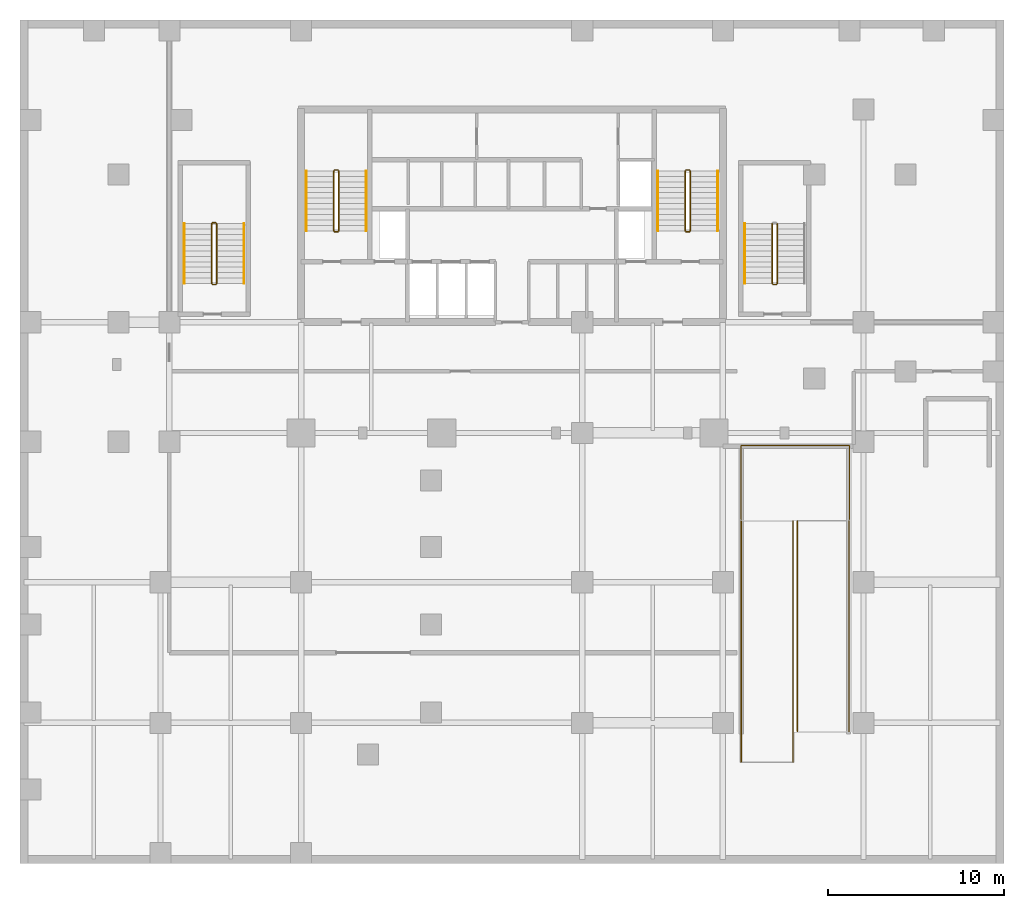
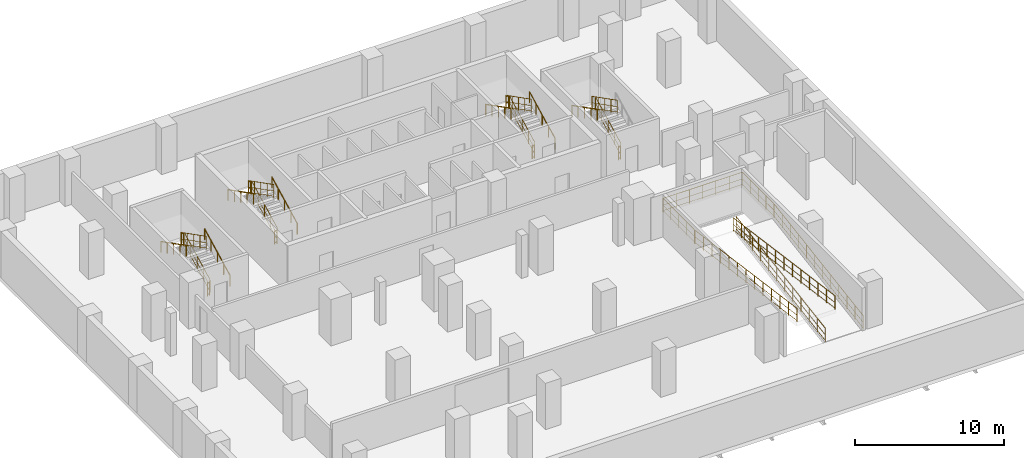
# One storey, part 4 of 5: 27 railings.
"""IFC4 building model written with IfcOpenShell, lengths in metres."""

import ifcopenshell
import ifcopenshell.guid

model = None  # the IFC model being written
_history = None  # IfcOwnerHistory: only IFC2X3 demands one
_inside = {}  # id of a spatial element -> (the spatial element, [elements in it])
_under = {}  # id of a project, library or spatial element -> (it, [spatial elements below it])
_declared = {}  # id of a project -> (the project, [libraries it declares])
_typed = {}  # id of a type object -> (the type object, [elements of that type])
_made_of = {}  # id of a material, layer set ... -> (it, [elements and type objects made of it])


def new_model(schema):
    """Start an empty IFC model of exactly this schema.

    Asked for "IFC4X3", IfcOpenShell would pick the latest addendum, in which some entities
    have other attributes; the version numbers below select the first issue.
    IFC2X3 requires an IfcOwnerHistory on every rooted entity: one is made here for all.
    """
    global model, _history
    if schema == "IFC4X3":
        model = ifcopenshell.file(schema_version=(4, 3, 0, 0))
    else:
        model = ifcopenshell.file(schema=schema)
    _inside.clear()
    _under.clear()
    _declared.clear()
    _typed.clear()
    _made_of.clear()
    _history = None
    if model.schema == "IFC2X3":
        org = make("IfcOrganization", Name="unknown")
        user = make(
            "IfcPersonAndOrganization",
            ThePerson=make("IfcPerson", FamilyName="unknown"),
            TheOrganization=org,
        )
        app = make(
            "IfcApplication",
            ApplicationDeveloper=org,
            Version="unknown",
            ApplicationFullName="unknown",
            ApplicationIdentifier="unknown",
        )
        _history = make(
            "IfcOwnerHistory",
            OwningUser=user,
            OwningApplication=app,
            ChangeAction="ADDED",
            CreationDate=0,
        )
    return model


def make(cls, **values):
    """One entity of the class cls with the attributes given. An attribute that is None is left unset."""
    return model.create_entity(
        cls, **{name: value for name, value in values.items() if value is not None}
    )


def rooted(cls, **values):
    """An entity with a GlobalId (a new one), such as an element, a storey or a relation."""
    return make(cls, GlobalId=ifcopenshell.guid.new(), OwnerHistory=_history, **values)


def si_unit(unit_type, name, prefix=None):
    """IfcSIUnit, for example si_unit("LENGTHUNIT", "METRE", prefix="MILLI")."""
    return make("IfcSIUnit", UnitType=unit_type, Prefix=prefix, Name=name)


def assignment(units):
    """IfcUnitAssignment: the units of a project."""
    return None if units is None else make("IfcUnitAssignment", Units=units)


def point(xyz):
    """IfcCartesianPoint."""
    return None if xyz is None else make("IfcCartesianPoint", Coordinates=xyz)


def direction(xyz):
    """IfcDirection."""
    return None if xyz is None else make("IfcDirection", DirectionRatios=xyz)


def frame(location, z_axis=None, x_axis=None):
    """IfcAxis2Placement3D, a coordinate frame: its origin and axes. An axis left out is left unset."""
    return make(
        "IfcAxis2Placement3D",
        Location=point(location),
        Axis=direction(z_axis),
        RefDirection=direction(x_axis),
    )


def frame_2d(location, x_axis=None):
    """IfcAxis2Placement2D, a coordinate frame in the plane: its origin and x axis."""
    return make(
        "IfcAxis2Placement2D", Location=point(location), RefDirection=direction(x_axis)
    )


def origin():
    """The frame at (0, 0, 0) with its axes left unset."""
    return frame((0.0, 0.0, 0.0))


def origin_2d():
    """The frame at (0, 0) in the plane with its x axis left unset."""
    return frame_2d((0.0, 0.0))


def place(relative_to, where):
    """IfcLocalPlacement: puts the frame where relative to a parent placement (None: the world)."""
    return make(
        "IfcLocalPlacement", PlacementRelTo=relative_to, RelativePlacement=where
    )


def context(
    kind, dimensions, precision=None, world=None, true_north=None, identifier=None
):
    """IfcGeometricRepresentationContext, for example the 3D "Model" context."""
    return make(
        "IfcGeometricRepresentationContext",
        ContextIdentifier=identifier,
        ContextType=kind,
        CoordinateSpaceDimension=dimensions,
        Precision=precision,
        WorldCoordinateSystem=world,
        TrueNorth=true_north,
    )


def subcontext(parent, identifier, kind, view, scale=None):
    """IfcGeometricRepresentationSubContext, for example "Body" below "Model"."""
    return make(
        "IfcGeometricRepresentationSubContext",
        ContextIdentifier=identifier,
        ContextType=kind,
        ParentContext=parent,
        TargetScale=scale,
        TargetView=view,
    )


def project(units=None, contexts=None):
    """IfcProject with its units and contexts."""
    return rooted(
        "IfcProject",
        Name="project",
        RepresentationContexts=contexts,
        UnitsInContext=assignment(units),
    )


def spatial(cls, under=None, at=None, **own):
    """A site, building, storey or space (cls), placed at a placement, below another one or the project."""
    s = rooted(cls, ObjectPlacement=at, **own)
    if under is not None:
        _under.setdefault(under.id(), (under, []))[1].append(s)
    return s


def profile(cls, at=None, kind="AREA", **sizes):
    """A parametric profile (cls). Its sizes go by their IFC names, for example OverallWidth=200.0."""
    return make(cls, ProfileType=kind, Position=at, **sizes)


def circle(**sizes):
    """IfcCircleProfileDef."""
    return profile("IfcCircleProfileDef", **sizes)


def extrude(swept, where, along, depth):
    """IfcExtrudedAreaSolid: the profile swept, set in the frame where, extruded along a direction by depth."""
    return make(
        "IfcExtrudedAreaSolid",
        SweptArea=swept,
        Position=where,
        ExtrudedDirection=direction(along),
        Depth=depth,
    )


def shape(context_of_items, identifier, shape_type, items):
    """IfcShapeRepresentation: the items that make up one representation, for example the "Body"."""
    return make(
        "IfcShapeRepresentation",
        ContextOfItems=context_of_items,
        RepresentationIdentifier=identifier,
        RepresentationType=shape_type,
        Items=items,
    )


def material(Name=None, Category=None):
    """IfcMaterial."""
    return make("IfcMaterial", Name=Name, Category=Category)


def made_of(thing, what):
    """Note that an element or type object is made of a material, layer set ...; save() writes the relation."""
    if what is not None:
        _made_of.setdefault(what.id(), (what, []))[1].append(thing)
    return thing


def type_object(cls, material=None, **own):
    """A type object (cls), such as IfcWallType, which elements share."""
    return made_of(rooted(cls, **own), material)


def element(
    cls,
    number,
    at=None,
    inside=None,
    cuts=None,
    type_object=None,
    material=None,
    context=None,
    identifier="Body",
    shape_type=None,
    held_by="IfcProductDefinitionShape",
    body=None,
    shapes=None,
    **own,
):
    """One element of the class cls, such as IfcWall. Its Tag is "e" and its number.

    at: its placement. inside: the storey or other place that contains it. cuts: it is an
    opening in that element (IfcRelVoidsElement). A single representation is given by context,
    identifier, shape_type and body (its items); several are given by shapes. held_by: the class
    of the entity that holds the representations. save() writes the other relations.
    """
    e = rooted(cls, Tag="e%d" % number, ObjectPlacement=at, **own)
    if body is not None:
        shapes = [shape(context, identifier, shape_type, body)]
    if shapes is not None:
        e.Representation = make(held_by, Representations=shapes)
    if inside is not None:
        _inside.setdefault(inside.id(), (inside, []))[1].append(e)
    if cuts is not None:
        rooted(
            "IfcRelVoidsElement", RelatingBuildingElement=cuts, RelatedOpeningElement=e
        )
    if type_object is not None:
        _typed.setdefault(type_object.id(), (type_object, []))[1].append(e)
    return made_of(e, material)


def aggregate(whole, parts):
    """IfcRelAggregates: a whole, such as a stair, and the parts it consists of."""
    return rooted("IfcRelAggregates", RelatingObject=whole, RelatedObjects=parts)


def save(model, path):
    """Write the relations noted so far, then the file.

    IfcRelAggregates (storeys below a building ...), IfcRelContainedInSpatialStructure (elements
    in a storey), IfcRelDefinesByType, IfcRelAssociatesMaterial and IfcRelDeclares: one each for
    every whole, place, type object, material and project.
    """
    for whole, parts in _under.values():
        aggregate(whole, parts)
    for where, things in _inside.values():
        rooted(
            "IfcRelContainedInSpatialStructure",
            RelatedElements=things,
            RelatingStructure=where,
        )
    for kind, things in _typed.values():
        rooted("IfcRelDefinesByType", RelatedObjects=things, RelatingType=kind)
    for what, things in _made_of.values():
        rooted("IfcRelAssociatesMaterial", RelatedObjects=things, RelatingMaterial=what)
    for by, libraries in _declared.values():
        rooted("IfcRelDeclares", RelatingContext=by, RelatedDefinitions=libraries)
    model.write(path)


model = new_model("IFC4")

# Units and contexts
model_context = context("Model", 3, precision=1e-05, world=origin(), true_north=direction((0.0, 1.0)))
body_context = subcontext(model_context, "Body", "Model", "MODEL_VIEW")
ifc_project = project(units=[si_unit("LENGTHUNIT", "METRE"), si_unit("AREAUNIT", "SQUARE_METRE"), si_unit("VOLUMEUNIT", "CUBIC_METRE"), si_unit("PLANEANGLEUNIT", "RADIAN"), si_unit("MASSUNIT", "GRAM", prefix="KILO")], contexts=[model_context])

# Site, building, storey
site_placement = place(None, origin())
site = spatial("IfcSite", under=ifc_project, at=site_placement, CompositionType="ELEMENT")
building_placement = place(site_placement, origin())
building = spatial("IfcBuilding", under=site, at=building_placement, Name="Catumbela Crestline Tower", CompositionType="ELEMENT")
storey_placement = place(building_placement, frame((0.0, 0.0, -9.4)))
storey = spatial("IfcBuildingStorey", under=building, at=storey_placement, Name="B02", CompositionType="ELEMENT", Elevation=-9.4)

# Railings
ifc_material = material(Name="Stainless steel EN 1.4401", Category="steel")
railing_type_1 = type_object("IfcRailingType", Name="RG-1100", PredefinedType="GUARDRAIL", material=ifc_material)
railing_1_placement = place(storey_placement, frame((18.14, 36.0, 0.1583)))
element("IfcRailing", 1, at=railing_1_placement, inside=storey, type_object=railing_type_1, Name="B02 ST-01 stair guard 1", PredefinedType="GUARDRAIL", context=body_context, shape_type="SweptSolid", body=[
    extrude(circle(Radius=0.024, at=origin_2d()), frame((0.0, 0.0, 1.076), z_axis=(0.0, 0.890560473983, 0.454864861447), x_axis=(-1.0, 0.0, 0.0)), (0.0, 0.0, 1.0), 3.829),
    extrude(circle(Radius=0.0156, at=origin_2d()), frame((0.0, 0.0, 0.55), z_axis=(0.0, 0.890560473983, 0.454864861447), x_axis=(-1.0, 0.0, 0.0)), (0.0, 0.0, 1.0), 3.829),
    extrude(circle(Radius=0.0156, at=origin_2d()), frame((0.0, 0.0, 0.12), z_axis=(0.0, 0.890560473983, 0.454864861447), x_axis=(-1.0, 0.0, 0.0)), (0.0, 0.0, 1.0), 3.829),
    extrude(circle(Radius=0.021, at=origin_2d()), origin(), (0.0, 0.0, 1.0), 1.052),
    extrude(circle(Radius=0.021, at=origin_2d()), frame((0.0, 0.8525, 0.4354)), (0.0, 0.0, 1.0), 1.052),
    extrude(circle(Radius=0.021, at=origin_2d()), frame((0.0, 1.705, 0.8708)), (0.0, 0.0, 1.0), 1.052),
    extrude(circle(Radius=0.021, at=origin_2d()), frame((0.0, 2.5575, 1.3063)), (0.0, 0.0, 1.0), 1.052),
    extrude(circle(Radius=0.021, at=origin_2d()), frame((0.0, 3.41, 1.7417)), (0.0, 0.0, 1.0), 1.052),
])
railing_2_placement = place(storey_placement, frame((18.09, 39.46, 1.9)))
element("IfcRailing", 2, at=railing_2_placement, inside=storey, type_object=railing_type_1, Name="B02 ST-01 stair guard 2", PredefinedType="GUARDRAIL", context=body_context, shape_type="SweptSolid", body=[
    extrude(circle(Radius=0.024, at=origin_2d()), frame((0.0, 0.0, 1.076), z_axis=(-1.0, 0.0, 0.0), x_axis=(0.0, -1.0, 0.0)), (0.0, 0.0, 1.0), 0.18),
    extrude(circle(Radius=0.0156, at=origin_2d()), frame((0.0, 0.0, 0.55), z_axis=(-1.0, 0.0, 0.0), x_axis=(0.0, -1.0, 0.0)), (0.0, 0.0, 1.0), 0.18),
    extrude(circle(Radius=0.0156, at=origin_2d()), frame((0.0, 0.0, 0.12), z_axis=(-1.0, 0.0, 0.0), x_axis=(0.0, -1.0, 0.0)), (0.0, 0.0, 1.0), 0.18),
    extrude(circle(Radius=0.021, at=origin_2d()), origin(), (0.0, 0.0, 1.0), 1.052),
    extrude(circle(Radius=0.021, at=origin_2d()), frame((-0.18, 0.0, 0.0)), (0.0, 0.0, 1.0), 1.052),
])
railing_3_placement = place(storey_placement, frame((17.86, 39.41, 2.0583)))
element("IfcRailing", 3, at=railing_3_placement, inside=storey, type_object=railing_type_1, Name="B02 ST-01 stair guard 3", PredefinedType="GUARDRAIL", context=body_context, shape_type="SweptSolid", body=[
    extrude(circle(Radius=0.024, at=origin_2d()), frame((0.0, 0.0, 1.076), z_axis=(0.0, -0.890560473983, 0.454864861447), x_axis=(1.0, 0.0, 0.0)), (0.0, 0.0, 1.0), 3.829),
    extrude(circle(Radius=0.0156, at=origin_2d()), frame((0.0, 0.0, 0.55), z_axis=(0.0, -0.890560473983, 0.454864861447), x_axis=(1.0, 0.0, 0.0)), (0.0, 0.0, 1.0), 3.829),
    extrude(circle(Radius=0.0156, at=origin_2d()), frame((0.0, 0.0, 0.12), z_axis=(0.0, -0.890560473983, 0.454864861447), x_axis=(1.0, 0.0, 0.0)), (0.0, 0.0, 1.0), 3.829),
    extrude(circle(Radius=0.021, at=origin_2d()), origin(), (0.0, 0.0, 1.0), 1.052),
    extrude(circle(Radius=0.021, at=origin_2d()), frame((0.0, -0.8525, 0.4354)), (0.0, 0.0, 1.0), 1.052),
    extrude(circle(Radius=0.021, at=origin_2d()), frame((0.0, -1.705, 0.8709)), (0.0, 0.0, 1.0), 1.052),
    extrude(circle(Radius=0.021, at=origin_2d()), frame((0.0, -2.5575, 1.3063)), (0.0, 0.0, 1.0), 1.052),
    extrude(circle(Radius=0.021, at=origin_2d()), frame((0.0, -3.41, 1.7417)), (0.0, 0.0, 1.0), 1.052),
])
railing_4_placement = place(storey_placement, frame((18.09, 35.95, 0.0)))
element("IfcRailing", 4, at=railing_4_placement, inside=storey, type_object=railing_type_1, Name="B02 ST-01 stair guard 4", PredefinedType="GUARDRAIL", context=body_context, shape_type="SweptSolid", body=[
    extrude(circle(Radius=0.024, at=origin_2d()), frame((0.0, 0.0, 1.076), z_axis=(-1.0, 0.0, 0.0), x_axis=(0.0, -1.0, 0.0)), (0.0, 0.0, 1.0), 0.18),
    extrude(circle(Radius=0.0156, at=origin_2d()), frame((0.0, 0.0, 0.55), z_axis=(-1.0, 0.0, 0.0), x_axis=(0.0, -1.0, 0.0)), (0.0, 0.0, 1.0), 0.18),
    extrude(circle(Radius=0.0156, at=origin_2d()), frame((0.0, 0.0, 0.12), z_axis=(-1.0, 0.0, 0.0), x_axis=(0.0, -1.0, 0.0)), (0.0, 0.0, 1.0), 0.18),
    extrude(circle(Radius=0.021, at=origin_2d()), origin(), (0.0, 0.0, 1.0), 1.052),
    extrude(circle(Radius=0.021, at=origin_2d()), frame((-0.18, 0.0, 0.0)), (0.0, 0.0, 1.0), 1.052),
])
railing_5_placement = place(storey_placement, frame((38.14, 36.0, 0.1583)))
element("IfcRailing", 5, at=railing_5_placement, inside=storey, type_object=railing_type_1, Name="B02 ST-02 stair guard 1", PredefinedType="GUARDRAIL", context=body_context, shape_type="SweptSolid", body=[
    extrude(circle(Radius=0.024, at=origin_2d()), frame((0.0, 0.0, 1.076), z_axis=(0.0, 0.890560473983, 0.454864861447), x_axis=(-1.0, 0.0, 0.0)), (0.0, 0.0, 1.0), 3.829),
    extrude(circle(Radius=0.0156, at=origin_2d()), frame((0.0, 0.0, 0.55), z_axis=(0.0, 0.890560473983, 0.454864861447), x_axis=(-1.0, 0.0, 0.0)), (0.0, 0.0, 1.0), 3.829),
    extrude(circle(Radius=0.0156, at=origin_2d()), frame((0.0, 0.0, 0.12), z_axis=(0.0, 0.890560473983, 0.454864861447), x_axis=(-1.0, 0.0, 0.0)), (0.0, 0.0, 1.0), 3.829),
    extrude(circle(Radius=0.021, at=origin_2d()), origin(), (0.0, 0.0, 1.0), 1.052),
    extrude(circle(Radius=0.021, at=origin_2d()), frame((0.0, 0.8525, 0.4354)), (0.0, 0.0, 1.0), 1.052),
    extrude(circle(Radius=0.021, at=origin_2d()), frame((0.0, 1.705, 0.8708)), (0.0, 0.0, 1.0), 1.052),
    extrude(circle(Radius=0.021, at=origin_2d()), frame((0.0, 2.5575, 1.3063)), (0.0, 0.0, 1.0), 1.052),
    extrude(circle(Radius=0.021, at=origin_2d()), frame((0.0, 3.41, 1.7417)), (0.0, 0.0, 1.0), 1.052),
])
railing_6_placement = place(storey_placement, frame((38.09, 39.46, 1.9)))
element("IfcRailing", 6, at=railing_6_placement, inside=storey, type_object=railing_type_1, Name="B02 ST-02 stair guard 2", PredefinedType="GUARDRAIL", context=body_context, shape_type="SweptSolid", body=[
    extrude(circle(Radius=0.024, at=origin_2d()), frame((0.0, 0.0, 1.076), z_axis=(-1.0, 0.0, 0.0), x_axis=(0.0, -1.0, 0.0)), (0.0, 0.0, 1.0), 0.18),
    extrude(circle(Radius=0.0156, at=origin_2d()), frame((0.0, 0.0, 0.55), z_axis=(-1.0, 0.0, 0.0), x_axis=(0.0, -1.0, 0.0)), (0.0, 0.0, 1.0), 0.18),
    extrude(circle(Radius=0.0156, at=origin_2d()), frame((0.0, 0.0, 0.12), z_axis=(-1.0, 0.0, 0.0), x_axis=(0.0, -1.0, 0.0)), (0.0, 0.0, 1.0), 0.18),
    extrude(circle(Radius=0.021, at=origin_2d()), origin(), (0.0, 0.0, 1.0), 1.052),
    extrude(circle(Radius=0.021, at=origin_2d()), frame((-0.18, 0.0, 0.0)), (0.0, 0.0, 1.0), 1.052),
])
railing_7_placement = place(storey_placement, frame((37.86, 39.41, 2.0583)))
element("IfcRailing", 7, at=railing_7_placement, inside=storey, type_object=railing_type_1, Name="B02 ST-02 stair guard 3", PredefinedType="GUARDRAIL", context=body_context, shape_type="SweptSolid", body=[
    extrude(circle(Radius=0.024, at=origin_2d()), frame((0.0, 0.0, 1.076), z_axis=(0.0, -0.890560473983, 0.454864861447), x_axis=(1.0, 0.0, 0.0)), (0.0, 0.0, 1.0), 3.829),
    extrude(circle(Radius=0.0156, at=origin_2d()), frame((0.0, 0.0, 0.55), z_axis=(0.0, -0.890560473983, 0.454864861447), x_axis=(1.0, 0.0, 0.0)), (0.0, 0.0, 1.0), 3.829),
    extrude(circle(Radius=0.0156, at=origin_2d()), frame((0.0, 0.0, 0.12), z_axis=(0.0, -0.890560473983, 0.454864861447), x_axis=(1.0, 0.0, 0.0)), (0.0, 0.0, 1.0), 3.829),
    extrude(circle(Radius=0.021, at=origin_2d()), origin(), (0.0, 0.0, 1.0), 1.052),
    extrude(circle(Radius=0.021, at=origin_2d()), frame((0.0, -0.8525, 0.4354)), (0.0, 0.0, 1.0), 1.052),
    extrude(circle(Radius=0.021, at=origin_2d()), frame((0.0, -1.705, 0.8709)), (0.0, 0.0, 1.0), 1.052),
    extrude(circle(Radius=0.021, at=origin_2d()), frame((0.0, -2.5575, 1.3063)), (0.0, 0.0, 1.0), 1.052),
    extrude(circle(Radius=0.021, at=origin_2d()), frame((0.0, -3.41, 1.7417)), (0.0, 0.0, 1.0), 1.052),
])
railing_8_placement = place(storey_placement, frame((38.09, 35.95, 0.0)))
element("IfcRailing", 8, at=railing_8_placement, inside=storey, type_object=railing_type_1, Name="B02 ST-02 stair guard 4", PredefinedType="GUARDRAIL", context=body_context, shape_type="SweptSolid", body=[
    extrude(circle(Radius=0.024, at=origin_2d()), frame((0.0, 0.0, 1.076), z_axis=(-1.0, 0.0, 0.0), x_axis=(0.0, -1.0, 0.0)), (0.0, 0.0, 1.0), 0.18),
    extrude(circle(Radius=0.0156, at=origin_2d()), frame((0.0, 0.0, 0.55), z_axis=(-1.0, 0.0, 0.0), x_axis=(0.0, -1.0, 0.0)), (0.0, 0.0, 1.0), 0.18),
    extrude(circle(Radius=0.0156, at=origin_2d()), frame((0.0, 0.0, 0.12), z_axis=(-1.0, 0.0, 0.0), x_axis=(0.0, -1.0, 0.0)), (0.0, 0.0, 1.0), 0.18),
    extrude(circle(Radius=0.021, at=origin_2d()), origin(), (0.0, 0.0, 1.0), 1.052),
    extrude(circle(Radius=0.021, at=origin_2d()), frame((-0.18, 0.0, 0.0)), (0.0, 0.0, 1.0), 1.052),
])
railing_9_placement = place(storey_placement, frame((11.19, 33.0, 0.1583)))
element("IfcRailing", 9, at=railing_9_placement, inside=storey, type_object=railing_type_1, Name="B02 ST-03 stair guard 1", PredefinedType="GUARDRAIL", context=body_context, shape_type="SweptSolid", body=[
    extrude(circle(Radius=0.024, at=origin_2d()), frame((0.0, 0.0, 1.076), z_axis=(0.0, 0.890560473983, 0.454864861447), x_axis=(-1.0, 0.0, 0.0)), (0.0, 0.0, 1.0), 3.829),
    extrude(circle(Radius=0.0156, at=origin_2d()), frame((0.0, 0.0, 0.55), z_axis=(0.0, 0.890560473983, 0.454864861447), x_axis=(-1.0, 0.0, 0.0)), (0.0, 0.0, 1.0), 3.829),
    extrude(circle(Radius=0.0156, at=origin_2d()), frame((0.0, 0.0, 0.12), z_axis=(0.0, 0.890560473983, 0.454864861447), x_axis=(-1.0, 0.0, 0.0)), (0.0, 0.0, 1.0), 3.829),
    extrude(circle(Radius=0.021, at=origin_2d()), origin(), (0.0, 0.0, 1.0), 1.052),
    extrude(circle(Radius=0.021, at=origin_2d()), frame((0.0, 0.8525, 0.4354)), (0.0, 0.0, 1.0), 1.052),
    extrude(circle(Radius=0.021, at=origin_2d()), frame((0.0, 1.705, 0.8708)), (0.0, 0.0, 1.0), 1.052),
    extrude(circle(Radius=0.021, at=origin_2d()), frame((0.0, 2.5575, 1.3063)), (0.0, 0.0, 1.0), 1.052),
    extrude(circle(Radius=0.021, at=origin_2d()), frame((0.0, 3.41, 1.7417)), (0.0, 0.0, 1.0), 1.052),
])
railing_10_placement = place(storey_placement, frame((11.14, 36.46, 1.9)))
element("IfcRailing", 10, at=railing_10_placement, inside=storey, type_object=railing_type_1, Name="B02 ST-03 stair guard 2", PredefinedType="GUARDRAIL", context=body_context, shape_type="SweptSolid", body=[
    extrude(circle(Radius=0.024, at=origin_2d()), frame((0.0, 0.0, 1.076), z_axis=(-1.0, 0.0, 0.0), x_axis=(0.0, -1.0, 0.0)), (0.0, 0.0, 1.0), 0.18),
    extrude(circle(Radius=0.0156, at=origin_2d()), frame((0.0, 0.0, 0.55), z_axis=(-1.0, 0.0, 0.0), x_axis=(0.0, -1.0, 0.0)), (0.0, 0.0, 1.0), 0.18),
    extrude(circle(Radius=0.0156, at=origin_2d()), frame((0.0, 0.0, 0.12), z_axis=(-1.0, 0.0, 0.0), x_axis=(0.0, -1.0, 0.0)), (0.0, 0.0, 1.0), 0.18),
    extrude(circle(Radius=0.021, at=origin_2d()), origin(), (0.0, 0.0, 1.0), 1.052),
    extrude(circle(Radius=0.021, at=origin_2d()), frame((-0.18, 0.0, 0.0)), (0.0, 0.0, 1.0), 1.052),
])
railing_11_placement = place(storey_placement, frame((10.91, 36.41, 2.0583)))
element("IfcRailing", 11, at=railing_11_placement, inside=storey, type_object=railing_type_1, Name="B02 ST-03 stair guard 3", PredefinedType="GUARDRAIL", context=body_context, shape_type="SweptSolid", body=[
    extrude(circle(Radius=0.024, at=origin_2d()), frame((0.0, 0.0, 1.076), z_axis=(0.0, -0.890560473983, 0.454864861447), x_axis=(1.0, 0.0, 0.0)), (0.0, 0.0, 1.0), 3.829),
    extrude(circle(Radius=0.0156, at=origin_2d()), frame((0.0, 0.0, 0.55), z_axis=(0.0, -0.890560473983, 0.454864861447), x_axis=(1.0, 0.0, 0.0)), (0.0, 0.0, 1.0), 3.829),
    extrude(circle(Radius=0.0156, at=origin_2d()), frame((0.0, 0.0, 0.12), z_axis=(0.0, -0.890560473983, 0.454864861447), x_axis=(1.0, 0.0, 0.0)), (0.0, 0.0, 1.0), 3.829),
    extrude(circle(Radius=0.021, at=origin_2d()), origin(), (0.0, 0.0, 1.0), 1.052),
    extrude(circle(Radius=0.021, at=origin_2d()), frame((0.0, -0.8525, 0.4354)), (0.0, 0.0, 1.0), 1.052),
    extrude(circle(Radius=0.021, at=origin_2d()), frame((0.0, -1.705, 0.8709)), (0.0, 0.0, 1.0), 1.052),
    extrude(circle(Radius=0.021, at=origin_2d()), frame((0.0, -2.5575, 1.3063)), (0.0, 0.0, 1.0), 1.052),
    extrude(circle(Radius=0.021, at=origin_2d()), frame((0.0, -3.41, 1.7417)), (0.0, 0.0, 1.0), 1.052),
])
railing_12_placement = place(storey_placement, frame((11.14, 32.95, 0.0)))
element("IfcRailing", 12, at=railing_12_placement, inside=storey, type_object=railing_type_1, Name="B02 ST-03 stair guard 4", PredefinedType="GUARDRAIL", context=body_context, shape_type="SweptSolid", body=[
    extrude(circle(Radius=0.024, at=origin_2d()), frame((0.0, 0.0, 1.076), z_axis=(-1.0, 0.0, 0.0), x_axis=(0.0, -1.0, 0.0)), (0.0, 0.0, 1.0), 0.18),
    extrude(circle(Radius=0.0156, at=origin_2d()), frame((0.0, 0.0, 0.55), z_axis=(-1.0, 0.0, 0.0), x_axis=(0.0, -1.0, 0.0)), (0.0, 0.0, 1.0), 0.18),
    extrude(circle(Radius=0.0156, at=origin_2d()), frame((0.0, 0.0, 0.12), z_axis=(-1.0, 0.0, 0.0), x_axis=(0.0, -1.0, 0.0)), (0.0, 0.0, 1.0), 0.18),
    extrude(circle(Radius=0.021, at=origin_2d()), origin(), (0.0, 0.0, 1.0), 1.052),
    extrude(circle(Radius=0.021, at=origin_2d()), frame((-0.18, 0.0, 0.0)), (0.0, 0.0, 1.0), 1.052),
])
railing_13_placement = place(storey_placement, frame((43.09, 33.0, 0.1583)))
element("IfcRailing", 13, at=railing_13_placement, inside=storey, type_object=railing_type_1, Name="B02 ST-04 stair guard 1", PredefinedType="GUARDRAIL", context=body_context, shape_type="SweptSolid", body=[
    extrude(circle(Radius=0.024, at=origin_2d()), frame((0.0, 0.0, 1.076), z_axis=(0.0, 0.890560473983, 0.454864861447), x_axis=(-1.0, 0.0, 0.0)), (0.0, 0.0, 1.0), 3.829),
    extrude(circle(Radius=0.0156, at=origin_2d()), frame((0.0, 0.0, 0.55), z_axis=(0.0, 0.890560473983, 0.454864861447), x_axis=(-1.0, 0.0, 0.0)), (0.0, 0.0, 1.0), 3.829),
    extrude(circle(Radius=0.0156, at=origin_2d()), frame((0.0, 0.0, 0.12), z_axis=(0.0, 0.890560473983, 0.454864861447), x_axis=(-1.0, 0.0, 0.0)), (0.0, 0.0, 1.0), 3.829),
    extrude(circle(Radius=0.021, at=origin_2d()), origin(), (0.0, 0.0, 1.0), 1.052),
    extrude(circle(Radius=0.021, at=origin_2d()), frame((0.0, 0.8525, 0.4354)), (0.0, 0.0, 1.0), 1.052),
    extrude(circle(Radius=0.021, at=origin_2d()), frame((0.0, 1.705, 0.8708)), (0.0, 0.0, 1.0), 1.052),
    extrude(circle(Radius=0.021, at=origin_2d()), frame((0.0, 2.5575, 1.3063)), (0.0, 0.0, 1.0), 1.052),
    extrude(circle(Radius=0.021, at=origin_2d()), frame((0.0, 3.41, 1.7417)), (0.0, 0.0, 1.0), 1.052),
])
railing_14_placement = place(storey_placement, frame((42.81, 36.41, 2.0583)))
element("IfcRailing", 14, at=railing_14_placement, inside=storey, type_object=railing_type_1, Name="B02 ST-04 stair guard 3", PredefinedType="GUARDRAIL", context=body_context, shape_type="SweptSolid", body=[
    extrude(circle(Radius=0.024, at=origin_2d()), frame((0.0, 0.0, 1.076), z_axis=(0.0, -0.890560473983, 0.454864861447), x_axis=(1.0, 0.0, 0.0)), (0.0, 0.0, 1.0), 3.829),
    extrude(circle(Radius=0.0156, at=origin_2d()), frame((0.0, 0.0, 0.55), z_axis=(0.0, -0.890560473983, 0.454864861447), x_axis=(1.0, 0.0, 0.0)), (0.0, 0.0, 1.0), 3.829),
    extrude(circle(Radius=0.0156, at=origin_2d()), frame((0.0, 0.0, 0.12), z_axis=(0.0, -0.890560473983, 0.454864861447), x_axis=(1.0, 0.0, 0.0)), (0.0, 0.0, 1.0), 3.829),
    extrude(circle(Radius=0.021, at=origin_2d()), origin(), (0.0, 0.0, 1.0), 1.052),
    extrude(circle(Radius=0.021, at=origin_2d()), frame((0.0, -0.8525, 0.4354)), (0.0, 0.0, 1.0), 1.052),
    extrude(circle(Radius=0.021, at=origin_2d()), frame((0.0, -1.705, 0.8709)), (0.0, 0.0, 1.0), 1.052),
    extrude(circle(Radius=0.021, at=origin_2d()), frame((0.0, -2.5575, 1.3063)), (0.0, 0.0, 1.0), 1.052),
    extrude(circle(Radius=0.021, at=origin_2d()), frame((0.0, -3.41, 1.7417)), (0.0, 0.0, 1.0), 1.052),
])
railing_15_placement = place(storey_placement, frame((43.04, 32.95, 0.0)))
element("IfcRailing", 15, at=railing_15_placement, inside=storey, type_object=railing_type_1, Name="B02 ST-04 stair guard 4", PredefinedType="GUARDRAIL", context=body_context, shape_type="SweptSolid", body=[
    extrude(circle(Radius=0.024, at=origin_2d()), frame((0.0, 0.0, 1.076), z_axis=(-1.0, 0.0, 0.0), x_axis=(0.0, -1.0, 0.0)), (0.0, 0.0, 1.0), 0.18),
    extrude(circle(Radius=0.0156, at=origin_2d()), frame((0.0, 0.0, 0.55), z_axis=(-1.0, 0.0, 0.0), x_axis=(0.0, -1.0, 0.0)), (0.0, 0.0, 1.0), 0.18),
    extrude(circle(Radius=0.0156, at=origin_2d()), frame((0.0, 0.0, 0.12), z_axis=(-1.0, 0.0, 0.0), x_axis=(0.0, -1.0, 0.0)), (0.0, 0.0, 1.0), 0.18),
    extrude(circle(Radius=0.021, at=origin_2d()), origin(), (0.0, 0.0, 1.0), 1.052),
    extrude(circle(Radius=0.021, at=origin_2d()), frame((-0.18, 0.0, 0.0)), (0.0, 0.0, 1.0), 1.052),
])
railing_type_2 = type_object("IfcRailingType", Name="RH-0900", PredefinedType="HANDRAIL", material=ifc_material)
railing_16_placement = place(storey_placement, frame((19.7, 36.0, 0.1583)))
element("IfcRailing", 16, at=railing_16_placement, inside=storey, type_object=railing_type_2, Name="B02 ST-01 stair handrail 1", PredefinedType="HANDRAIL", context=body_context, shape_type="SweptSolid", body=[
    extrude(circle(Radius=0.024, at=origin_2d()), frame((0.0, 0.0, 0.876), z_axis=(0.0, 0.890560473983, 0.454864861447), x_axis=(-1.0, 0.0, 0.0)), (0.0, 0.0, 1.0), 3.829),
    extrude(circle(Radius=0.021, at=origin_2d()), origin(), (0.0, 0.0, 1.0), 0.852),
    extrude(circle(Radius=0.021, at=origin_2d()), frame((0.0, 0.8525, 0.4354)), (0.0, 0.0, 1.0), 0.852),
    extrude(circle(Radius=0.021, at=origin_2d()), frame((0.0, 1.705, 0.8708)), (0.0, 0.0, 1.0), 0.852),
    extrude(circle(Radius=0.021, at=origin_2d()), frame((0.0, 2.5575, 1.3063)), (0.0, 0.0, 1.0), 0.852),
    extrude(circle(Radius=0.021, at=origin_2d()), frame((0.0, 3.41, 1.7417)), (0.0, 0.0, 1.0), 0.852),
])
railing_17_placement = place(storey_placement, frame((16.3, 39.41, 2.0583)))
element("IfcRailing", 17, at=railing_17_placement, inside=storey, type_object=railing_type_2, Name="B02 ST-01 stair handrail 2", PredefinedType="HANDRAIL", context=body_context, shape_type="SweptSolid", body=[
    extrude(circle(Radius=0.024, at=origin_2d()), frame((0.0, 0.0, 0.876), z_axis=(0.0, -0.890560473983, 0.454864861447), x_axis=(1.0, 0.0, 0.0)), (0.0, 0.0, 1.0), 3.829),
    extrude(circle(Radius=0.021, at=origin_2d()), origin(), (0.0, 0.0, 1.0), 0.852),
    extrude(circle(Radius=0.021, at=origin_2d()), frame((0.0, -0.8525, 0.4354)), (0.0, 0.0, 1.0), 0.852),
    extrude(circle(Radius=0.021, at=origin_2d()), frame((0.0, -1.705, 0.8709)), (0.0, 0.0, 1.0), 0.852),
    extrude(circle(Radius=0.021, at=origin_2d()), frame((0.0, -2.5575, 1.3063)), (0.0, 0.0, 1.0), 0.852),
    extrude(circle(Radius=0.021, at=origin_2d()), frame((0.0, -3.41, 1.7417)), (0.0, 0.0, 1.0), 0.852),
])
railing_18_placement = place(storey_placement, frame((39.7, 36.0, 0.1583)))
element("IfcRailing", 18, at=railing_18_placement, inside=storey, type_object=railing_type_2, Name="B02 ST-02 stair handrail 1", PredefinedType="HANDRAIL", context=body_context, shape_type="SweptSolid", body=[
    extrude(circle(Radius=0.024, at=origin_2d()), frame((0.0, 0.0, 0.876), z_axis=(0.0, 0.890560473983, 0.454864861447), x_axis=(-1.0, 0.0, 0.0)), (0.0, 0.0, 1.0), 3.829),
    extrude(circle(Radius=0.021, at=origin_2d()), origin(), (0.0, 0.0, 1.0), 0.852),
    extrude(circle(Radius=0.021, at=origin_2d()), frame((0.0, 0.8525, 0.4354)), (0.0, 0.0, 1.0), 0.852),
    extrude(circle(Radius=0.021, at=origin_2d()), frame((0.0, 1.705, 0.8708)), (0.0, 0.0, 1.0), 0.852),
    extrude(circle(Radius=0.021, at=origin_2d()), frame((0.0, 2.5575, 1.3063)), (0.0, 0.0, 1.0), 0.852),
    extrude(circle(Radius=0.021, at=origin_2d()), frame((0.0, 3.41, 1.7417)), (0.0, 0.0, 1.0), 0.852),
])
railing_19_placement = place(storey_placement, frame((36.3, 39.41, 2.0583)))
element("IfcRailing", 19, at=railing_19_placement, inside=storey, type_object=railing_type_2, Name="B02 ST-02 stair handrail 2", PredefinedType="HANDRAIL", context=body_context, shape_type="SweptSolid", body=[
    extrude(circle(Radius=0.024, at=origin_2d()), frame((0.0, 0.0, 0.876), z_axis=(0.0, -0.890560473983, 0.454864861447), x_axis=(1.0, 0.0, 0.0)), (0.0, 0.0, 1.0), 3.829),
    extrude(circle(Radius=0.021, at=origin_2d()), origin(), (0.0, 0.0, 1.0), 0.852),
    extrude(circle(Radius=0.021, at=origin_2d()), frame((0.0, -0.8525, 0.4354)), (0.0, 0.0, 1.0), 0.852),
    extrude(circle(Radius=0.021, at=origin_2d()), frame((0.0, -1.705, 0.8709)), (0.0, 0.0, 1.0), 0.852),
    extrude(circle(Radius=0.021, at=origin_2d()), frame((0.0, -2.5575, 1.3063)), (0.0, 0.0, 1.0), 0.852),
    extrude(circle(Radius=0.021, at=origin_2d()), frame((0.0, -3.41, 1.7417)), (0.0, 0.0, 1.0), 0.852),
])
railing_20_placement = place(storey_placement, frame((12.75, 33.0, 0.1583)))
element("IfcRailing", 20, at=railing_20_placement, inside=storey, type_object=railing_type_2, Name="B02 ST-03 stair handrail 1", PredefinedType="HANDRAIL", context=body_context, shape_type="SweptSolid", body=[
    extrude(circle(Radius=0.024, at=origin_2d()), frame((0.0, 0.0, 0.876), z_axis=(0.0, 0.890560473983, 0.454864861447), x_axis=(-1.0, 0.0, 0.0)), (0.0, 0.0, 1.0), 3.829),
    extrude(circle(Radius=0.021, at=origin_2d()), origin(), (0.0, 0.0, 1.0), 0.852),
    extrude(circle(Radius=0.021, at=origin_2d()), frame((0.0, 0.8525, 0.4354)), (0.0, 0.0, 1.0), 0.852),
    extrude(circle(Radius=0.021, at=origin_2d()), frame((0.0, 1.705, 0.8708)), (0.0, 0.0, 1.0), 0.852),
    extrude(circle(Radius=0.021, at=origin_2d()), frame((0.0, 2.5575, 1.3063)), (0.0, 0.0, 1.0), 0.852),
    extrude(circle(Radius=0.021, at=origin_2d()), frame((0.0, 3.41, 1.7417)), (0.0, 0.0, 1.0), 0.852),
])
for number, where, name in (
    (21, (9.35, 36.41, 2.0583), "B02 ST-03 stair handrail 2"),
    (22, (41.25, 36.41, 2.0583), "B02 ST-04 stair handrail 2"),
):
    element("IfcRailing", number, at=place(storey_placement, frame(where)), inside=storey, type_object=railing_type_2, Name=name, PredefinedType="HANDRAIL", context=body_context, shape_type="SweptSolid", body=[
        extrude(circle(Radius=0.024, at=origin_2d()), frame((0.0, 0.0, 0.876), z_axis=(0.0, -0.890560473983, 0.454864861447), x_axis=(1.0, 0.0, 0.0)), (0.0, 0.0, 1.0), 3.829),
        extrude(circle(Radius=0.021, at=origin_2d()), origin(), (0.0, 0.0, 1.0), 0.852),
        extrude(circle(Radius=0.021, at=origin_2d()), frame((0.0, -0.8525, 0.4354)), (0.0, 0.0, 1.0), 0.852),
        extrude(circle(Radius=0.021, at=origin_2d()), frame((0.0, -1.705, 0.8709)), (0.0, 0.0, 1.0), 0.852),
        extrude(circle(Radius=0.021, at=origin_2d()), frame((0.0, -2.5575, 1.3063)), (0.0, 0.0, 1.0), 0.852),
        extrude(circle(Radius=0.021, at=origin_2d()), frame((0.0, -3.41, 1.7417)), (0.0, 0.0, 1.0), 0.852),
    ])
railing_type_3 = type_object("IfcRailingType", Name="RT-1150", PredefinedType="BALUSTRADE", material=ifc_material)
for number, where, name in (
    (23, (44.24, 7.52, 0.0), "B02 Vehicle Ramp Lower West Safety Guard"),
    (24, (47.18, 7.52, 0.0), "B02 Vehicle Ramp Lower East Safety Guard"),
):
    element("IfcRailing", number, at=place(storey_placement, frame(where)), inside=storey, type_object=railing_type_3, Name=name, PredefinedType="BALUSTRADE", context=body_context, shape_type="SweptSolid", body=[
        extrude(circle(Radius=0.024, at=origin_2d()), frame((0.0, 0.0, 1.126), z_axis=(0.0, 0.987615226131, 0.156895395456), x_axis=(-1.0, 0.0, 0.0)), (0.0, 0.0, 1.0), 12.11),
        extrude(circle(Radius=0.0156, at=origin_2d()), frame((0.0, 0.0, 0.575), z_axis=(0.0, 0.987615226131, 0.156895395456), x_axis=(-1.0, 0.0, 0.0)), (0.0, 0.0, 1.0), 12.11),
        extrude(circle(Radius=0.0156, at=origin_2d()), frame((0.0, 0.0, 0.12), z_axis=(0.0, 0.987615226131, 0.156895395456), x_axis=(-1.0, 0.0, 0.0)), (0.0, 0.0, 1.0), 12.11),
        extrude(circle(Radius=0.021, at=origin_2d()), origin(), (0.0, 0.0, 1.0), 1.102),
        extrude(circle(Radius=0.021, at=origin_2d()), frame((0.0, 1.0873, 0.1727)), (0.0, 0.0, 1.0), 1.102),
        extrude(circle(Radius=0.021, at=origin_2d()), frame((0.0, 2.1745, 0.3455)), (0.0, 0.0, 1.0), 1.102),
        extrude(circle(Radius=0.021, at=origin_2d()), frame((0.0, 3.2618, 0.5182)), (0.0, 0.0, 1.0), 1.102),
        extrude(circle(Radius=0.021, at=origin_2d()), frame((0.0, 4.3491, 0.6909)), (0.0, 0.0, 1.0), 1.102),
        extrude(circle(Radius=0.021, at=origin_2d()), frame((0.0, 5.4364, 0.8636)), (0.0, 0.0, 1.0), 1.102),
        extrude(circle(Radius=0.021, at=origin_2d()), frame((0.0, 6.5236, 1.0364)), (0.0, 0.0, 1.0), 1.102),
        extrude(circle(Radius=0.021, at=origin_2d()), frame((0.0, 7.6109, 1.2091)), (0.0, 0.0, 1.0), 1.102),
        extrude(circle(Radius=0.021, at=origin_2d()), frame((0.0, 8.6982, 1.3818)), (0.0, 0.0, 1.0), 1.102),
        extrude(circle(Radius=0.021, at=origin_2d()), frame((0.0, 9.7855, 1.5545)), (0.0, 0.0, 1.0), 1.102),
        extrude(circle(Radius=0.021, at=origin_2d()), frame((0.0, 10.8727, 1.7273)), (0.0, 0.0, 1.0), 1.102),
        extrude(circle(Radius=0.021, at=origin_2d()), frame((0.0, 11.96, 1.9)), (0.0, 0.0, 1.0), 1.102),
    ])
railing_21_placement = place(storey_placement, frame((43.99, 19.48, 1.9)))
element("IfcRailing", 25, at=railing_21_placement, inside=storey, type_object=railing_type_3, Name="B02 Vehicle Ramp Upper Median Safety Guard", PredefinedType="BALUSTRADE", context=body_context, shape_type="SweptSolid", body=[
    extrude(circle(Radius=0.024, at=origin_2d()), frame((0.0, 0.0, 1.126), z_axis=(0.0, -0.990519619478, 0.137371334088), x_axis=(1.0, 0.0, 0.0)), (0.0, 0.0, 1.0), 13.8311),
    extrude(circle(Radius=0.0156, at=origin_2d()), frame((0.0, 0.0, 0.575), z_axis=(0.0, -0.990519619478, 0.137371334088), x_axis=(1.0, 0.0, 0.0)), (0.0, 0.0, 1.0), 13.8311),
    extrude(circle(Radius=0.0156, at=origin_2d()), frame((0.0, 0.0, 0.12), z_axis=(0.0, -0.990519619478, 0.137371334088), x_axis=(1.0, 0.0, 0.0)), (0.0, 0.0, 1.0), 13.8311),
    extrude(circle(Radius=0.021, at=origin_2d()), origin(), (0.0, 0.0, 1.0), 1.102),
    extrude(circle(Radius=0.021, at=origin_2d()), frame((0.0, -1.1417, 0.1583)), (0.0, 0.0, 1.0), 1.102),
    extrude(circle(Radius=0.021, at=origin_2d()), frame((0.0, -2.2833, 0.3167)), (0.0, 0.0, 1.0), 1.102),
    extrude(circle(Radius=0.021, at=origin_2d()), frame((0.0, -3.425, 0.475)), (0.0, 0.0, 1.0), 1.102),
    extrude(circle(Radius=0.021, at=origin_2d()), frame((0.0, -4.5667, 0.6333)), (0.0, 0.0, 1.0), 1.102),
    extrude(circle(Radius=0.021, at=origin_2d()), frame((0.0, -5.7083, 0.7917)), (0.0, 0.0, 1.0), 1.102),
    extrude(circle(Radius=0.021, at=origin_2d()), frame((0.0, -6.85, 0.95)), (0.0, 0.0, 1.0), 1.102),
    extrude(circle(Radius=0.021, at=origin_2d()), frame((0.0, -7.9917, 1.1083)), (0.0, 0.0, 1.0), 1.102),
    extrude(circle(Radius=0.021, at=origin_2d()), frame((0.0, -9.1333, 1.2667)), (0.0, 0.0, 1.0), 1.102),
    extrude(circle(Radius=0.021, at=origin_2d()), frame((0.0, -10.275, 1.425)), (0.0, 0.0, 1.0), 1.102),
    extrude(circle(Radius=0.021, at=origin_2d()), frame((0.0, -11.4167, 1.5833)), (0.0, 0.0, 1.0), 1.102),
    extrude(circle(Radius=0.021, at=origin_2d()), frame((0.0, -12.5583, 1.7417)), (0.0, 0.0, 1.0), 1.102),
    extrude(circle(Radius=0.021, at=origin_2d()), frame((0.0, -13.7, 1.9)), (0.0, 0.0, 1.0), 1.102),
])
railing_22_placement = place(storey_placement, frame((41.04, 19.48, 1.9)))
element("IfcRailing", 26, at=railing_22_placement, inside=storey, type_object=railing_type_3, Name="B02 Vehicle Ramp Upper West Safety Guard", PredefinedType="BALUSTRADE", context=body_context, shape_type="SweptSolid", body=[
    extrude(circle(Radius=0.024, at=origin_2d()), frame((0.0, 0.0, 1.126), z_axis=(0.0, -0.990519619478, 0.137371334088), x_axis=(1.0, 0.0, 0.0)), (0.0, 0.0, 1.0), 13.8311),
    extrude(circle(Radius=0.0156, at=origin_2d()), frame((0.0, 0.0, 0.575), z_axis=(0.0, -0.990519619478, 0.137371334088), x_axis=(1.0, 0.0, 0.0)), (0.0, 0.0, 1.0), 13.8311),
    extrude(circle(Radius=0.0156, at=origin_2d()), frame((0.0, 0.0, 0.12), z_axis=(0.0, -0.990519619478, 0.137371334088), x_axis=(1.0, 0.0, 0.0)), (0.0, 0.0, 1.0), 13.8311),
    extrude(circle(Radius=0.021, at=origin_2d()), origin(), (0.0, 0.0, 1.0), 1.102),
    extrude(circle(Radius=0.021, at=origin_2d()), frame((0.0, -1.1417, 0.1583)), (0.0, 0.0, 1.0), 1.102),
    extrude(circle(Radius=0.021, at=origin_2d()), frame((0.0, -2.2833, 0.3167)), (0.0, 0.0, 1.0), 1.102),
    extrude(circle(Radius=0.021, at=origin_2d()), frame((0.0, -3.425, 0.475)), (0.0, 0.0, 1.0), 1.102),
    extrude(circle(Radius=0.021, at=origin_2d()), frame((0.0, -4.5667, 0.6333)), (0.0, 0.0, 1.0), 1.102),
    extrude(circle(Radius=0.021, at=origin_2d()), frame((0.0, -5.7083, 0.7917)), (0.0, 0.0, 1.0), 1.102),
    extrude(circle(Radius=0.021, at=origin_2d()), frame((0.0, -6.85, 0.95)), (0.0, 0.0, 1.0), 1.102),
    extrude(circle(Radius=0.021, at=origin_2d()), frame((0.0, -7.9917, 1.1083)), (0.0, 0.0, 1.0), 1.102),
    extrude(circle(Radius=0.021, at=origin_2d()), frame((0.0, -9.1333, 1.2667)), (0.0, 0.0, 1.0), 1.102),
    extrude(circle(Radius=0.021, at=origin_2d()), frame((0.0, -10.275, 1.425)), (0.0, 0.0, 1.0), 1.102),
    extrude(circle(Radius=0.021, at=origin_2d()), frame((0.0, -11.4167, 1.5833)), (0.0, 0.0, 1.0), 1.102),
    extrude(circle(Radius=0.021, at=origin_2d()), frame((0.0, -12.5583, 1.7417)), (0.0, 0.0, 1.0), 1.102),
    extrude(circle(Radius=0.021, at=origin_2d()), frame((0.0, -13.7, 1.9)), (0.0, 0.0, 1.0), 1.102),
])
railing_23_placement = place(storey_placement, frame((41.04, 19.56, 1.9)))
element("IfcRailing", 27, at=railing_23_placement, inside=storey, type_object=railing_type_3, Name="B02 Vehicle Ramp Mid-Landing Perimeter Guard", PredefinedType="BALUSTRADE", context=body_context, shape_type="SweptSolid", body=[
    extrude(circle(Radius=0.024, at=origin_2d()), frame((0.0, 0.0, 1.126), z_axis=(0.0, 1.0, 0.0), x_axis=(-1.0, 0.0, 0.0)), (0.0, 0.0, 1.0), 4.23),
    extrude(circle(Radius=0.0156, at=origin_2d()), frame((0.0, 0.0, 0.575), z_axis=(0.0, 1.0, 0.0), x_axis=(-1.0, 0.0, 0.0)), (0.0, 0.0, 1.0), 4.23),
    extrude(circle(Radius=0.0156, at=origin_2d()), frame((0.0, 0.0, 0.12), z_axis=(0.0, 1.0, 0.0), x_axis=(-1.0, 0.0, 0.0)), (0.0, 0.0, 1.0), 4.23),
    extrude(circle(Radius=0.024, at=origin_2d()), frame((0.0, 4.23, 1.126), z_axis=(1.0, 0.0, 0.0), x_axis=(0.0, 1.0, 0.0)), (0.0, 0.0, 1.0), 6.16),
    extrude(circle(Radius=0.0156, at=origin_2d()), frame((0.0, 4.23, 0.575), z_axis=(1.0, 0.0, 0.0), x_axis=(0.0, 1.0, 0.0)), (0.0, 0.0, 1.0), 6.16),
    extrude(circle(Radius=0.0156, at=origin_2d()), frame((0.0, 4.23, 0.12), z_axis=(1.0, 0.0, 0.0), x_axis=(0.0, 1.0, 0.0)), (0.0, 0.0, 1.0), 6.16),
    extrude(circle(Radius=0.024, at=origin_2d()), frame((6.16, 4.23, 1.126), z_axis=(0.0, -1.0, 0.0), x_axis=(1.0, 0.0, 0.0)), (0.0, 0.0, 1.0), 4.23),
    extrude(circle(Radius=0.0156, at=origin_2d()), frame((6.16, 4.23, 0.575), z_axis=(0.0, -1.0, 0.0), x_axis=(1.0, 0.0, 0.0)), (0.0, 0.0, 1.0), 4.23),
    extrude(circle(Radius=0.0156, at=origin_2d()), frame((6.16, 4.23, 0.12), z_axis=(0.0, -1.0, 0.0), x_axis=(1.0, 0.0, 0.0)), (0.0, 0.0, 1.0), 4.23),
    extrude(circle(Radius=0.021, at=origin_2d()), origin(), (0.0, 0.0, 1.0), 1.102),
    extrude(circle(Radius=0.021, at=origin_2d()), frame((0.0, 1.0575, 0.0)), (0.0, 0.0, 1.0), 1.102),
    extrude(circle(Radius=0.021, at=origin_2d()), frame((0.0, 2.115, 0.0)), (0.0, 0.0, 1.0), 1.102),
    extrude(circle(Radius=0.021, at=origin_2d()), frame((0.0, 3.1725, 0.0)), (0.0, 0.0, 1.0), 1.102),
    extrude(circle(Radius=0.021, at=origin_2d()), frame((0.0, 4.23, 0.0)), (0.0, 0.0, 1.0), 1.102),
    extrude(circle(Radius=0.021, at=origin_2d()), frame((1.0267, 4.23, 0.0)), (0.0, 0.0, 1.0), 1.102),
    extrude(circle(Radius=0.021, at=origin_2d()), frame((2.0533, 4.23, 0.0)), (0.0, 0.0, 1.0), 1.102),
    extrude(circle(Radius=0.021, at=origin_2d()), frame((3.08, 4.23, 0.0)), (0.0, 0.0, 1.0), 1.102),
    extrude(circle(Radius=0.021, at=origin_2d()), frame((4.1067, 4.23, 0.0)), (0.0, 0.0, 1.0), 1.102),
    extrude(circle(Radius=0.021, at=origin_2d()), frame((5.1333, 4.23, 0.0)), (0.0, 0.0, 1.0), 1.102),
    extrude(circle(Radius=0.021, at=origin_2d()), frame((6.16, 4.23, 0.0)), (0.0, 0.0, 1.0), 1.102),
    extrude(circle(Radius=0.021, at=origin_2d()), frame((6.16, 3.1725, 0.0)), (0.0, 0.0, 1.0), 1.102),
    extrude(circle(Radius=0.021, at=origin_2d()), frame((6.16, 2.115, 0.0)), (0.0, 0.0, 1.0), 1.102),
    extrude(circle(Radius=0.021, at=origin_2d()), frame((6.16, 1.0575, 0.0)), (0.0, 0.0, 1.0), 1.102),
    extrude(circle(Radius=0.021, at=origin_2d()), frame((6.16, 0.0, 0.0)), (0.0, 0.0, 1.0), 1.102),
])

save(model, "model.ifc")
